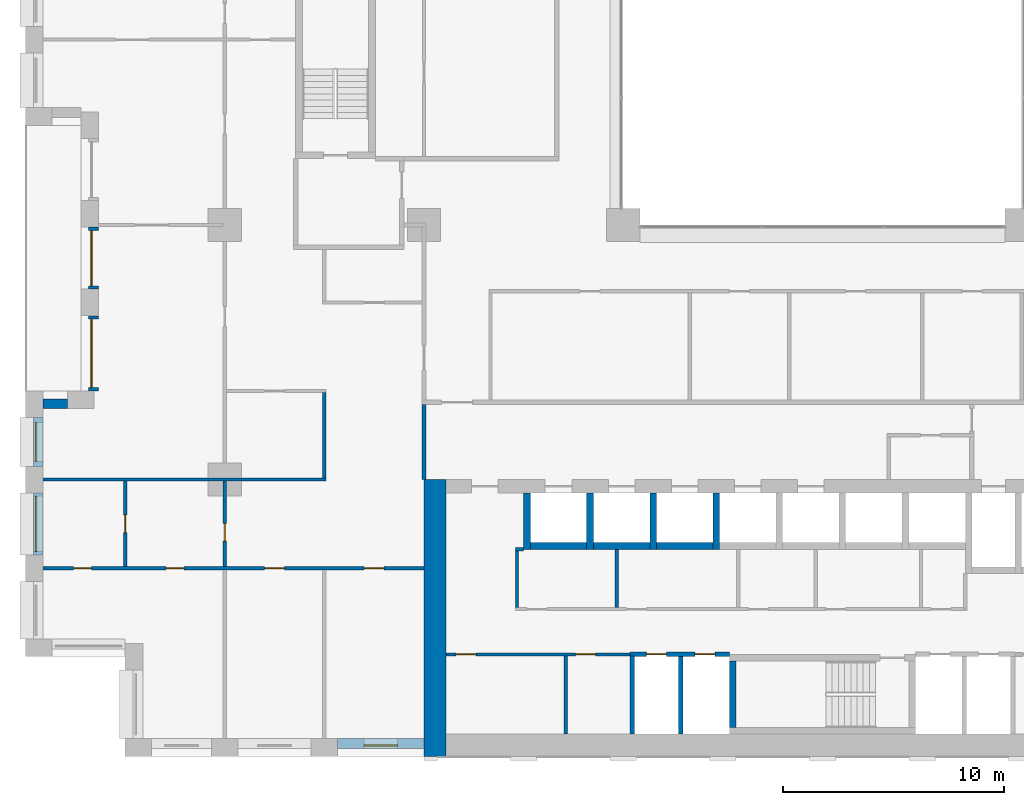
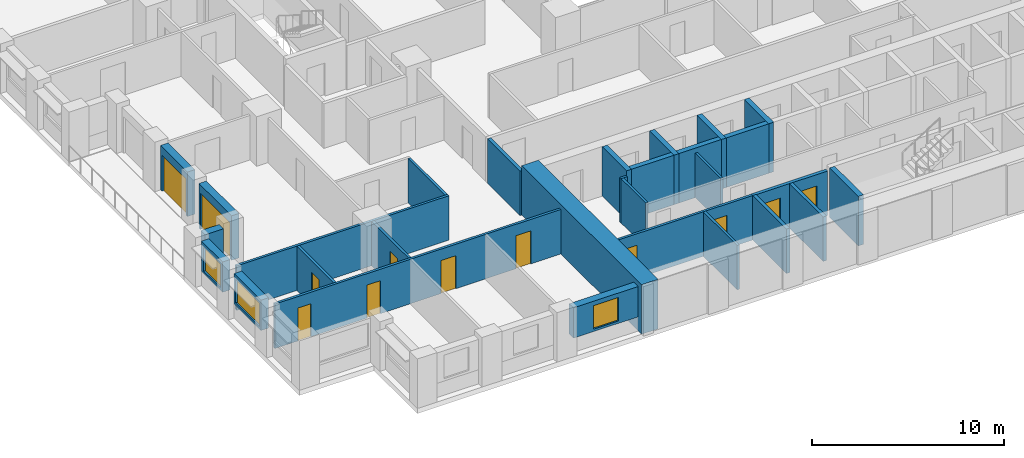
# One storey, part 9 of 21: 29 walls, 12 doors, 3 windows, 15 openings.
"""IFC4 building model written with IfcOpenShell, lengths in metres."""

from ifc_helpers import new_model, si_unit, direction, frame, frame_2d, origin, place, context, subcontext, project, spatial, rectangle, extrude, material, layer, layer_set, type_object, element, fill, save


model = new_model("IFC4")

# Units and contexts
model_context = context("Model", 3, precision=1e-05, world=origin(), true_north=direction((0.0, 1.0)))
body_context = subcontext(model_context, "Body", "Model", "MODEL_VIEW")
ifc_project = project(units=[si_unit("LENGTHUNIT", "METRE"), si_unit("AREAUNIT", "SQUARE_METRE"), si_unit("VOLUMEUNIT", "CUBIC_METRE"), si_unit("PLANEANGLEUNIT", "RADIAN"), si_unit("MASSUNIT", "GRAM", prefix="KILO")], contexts=[model_context])

# Site, building, storey
site_placement = place(None, origin())
site = spatial("IfcSite", under=ifc_project, at=site_placement, CompositionType="ELEMENT")
building_placement = place(site_placement, origin())
building = spatial("IfcBuilding", under=site, at=building_placement, Name="Brigalow Station Residences", CompositionType="ELEMENT")
storey_placement = place(building_placement, frame((0.0, 0.0, 51.0)))
storey = spatial("IfcBuildingStorey", under=building, at=storey_placement, Name="L14", CompositionType="ELEMENT", Elevation=51.0)

# Wall, opening, window
ifc_material_1 = material(Name="Clay brick masonry", Category="masonry")
ifc_layer_1 = layer(ifc_material_1, 0.449951171875)
ifc_layer_set_1 = layer_set([ifc_layer_1], Name="BRICK INFILL WALL 450")
wall_type_1 = type_object("IfcWallType", Name="BRICK INFILL WALL 450", PredefinedType="SOLIDWALL", material=ifc_layer_set_1)
wall_1_placement = place(storey_placement, frame((14.10009765625, 0.574951171875, 0.89990234375), z_axis=(0.0, 0.0, 1.0), x_axis=(1.0, 0.0, 0.0)))
wall_1 = element("IfcWall", 1, at=wall_1_placement, inside=storey, type_object=wall_type_1, Name="L14/ewall/W-L14-3", PredefinedType="SOLIDWALL", context=body_context, shape_type="SweptSolid", body=[
    extrude(rectangle(XDim=3.89990234375, YDim=0.449951171875, at=frame_2d((1.949951171875, 0.0))), origin(), (0.0, 0.0, 1.0), 1.93017578125),
])
opening_1_placement = place(wall_1_placement, frame((1.199951171875, 0.0, 0.14990234375)))
opening_1 = element("IfcOpeningElement", 2, at=opening_1_placement, cuts=wall_1, Name="Opening WT-1", PredefinedType="OPENING", context=body_context, shape_type="SweptSolid", body=[
    extrude(rectangle(XDim=1.5, YDim=1.5, at=frame_2d((0.75, 0.75))), frame((0.0, 0.23486328125, 0.0), z_axis=(0.0, -1.0, 0.0), x_axis=(1.0, 0.0, 0.0)), (0.0, 0.0, 1.0), 0.469970703125),
])
ifc_material_2 = material(Name="Anodised aluminium frame with double glazing", Category="aluminium")
window_type_1 = type_object("IfcWindowType", Name="WINDOW 1500x1500", PartitioningType="SINGLE_PANEL", PredefinedType="WINDOW", material=ifc_material_2)
window_1_placement = place(opening_1_placement, origin())
window_1 = element("IfcWindow", 3, at=window_1_placement, inside=storey, type_object=window_type_1, Name="L14/window/W-L14-3", OverallHeight=1.5, OverallWidth=1.5, PartitioningType="SINGLE_PANEL", PredefinedType="WINDOW", context=body_context, shape_type="SweptSolid", body=[
    extrude(rectangle(XDim=1.5, YDim=1.5, at=frame_2d((0.75, 0.75))), frame((0.0, -0.06494140625, 0.0), z_axis=(0.0, -1.0, 0.0), x_axis=(1.0, 0.0, 0.0)), (0.0, 0.0, 1.0), 0.06005859375),
])
fill(opening_1, window_1)

# Wall, opening, door
wall_2_placement = place(storey_placement, frame((3.074951171875, 23.89990234375, 0.0), z_axis=(0.0, 0.0, 1.0), x_axis=(0.0, -1.0, 0.0)))
wall_2 = element("IfcWall", 4, at=wall_2_placement, inside=storey, type_object=wall_type_1, Name="L14/ewall/W-L14-48", PredefinedType="SOLIDWALL", context=body_context, shape_type="SweptSolid", body=[
    extrude(rectangle(XDim=2.7998046875, YDim=0.449951171875, at=frame_2d((1.39990234375, 0.0))), origin(), (0.0, 0.0, 1.0), 2.830078125),
])
opening_2_placement = place(wall_2_placement, frame((0.14990234375, 0.0, 0.0)))
opening_2 = element("IfcOpeningElement", 5, at=opening_2_placement, cuts=wall_2, Name="Opening D-B2500", PredefinedType="OPENING", context=body_context, shape_type="SweptSolid", body=[
    extrude(rectangle(XDim=2.5, YDim=2.300048828125, at=frame_2d((1.25, 1.14990234375))), frame((0.0, 0.23486328125, 0.0), z_axis=(0.0, -1.0, 0.0), x_axis=(1.0, 0.0, 0.0)), (0.0, 0.0, 1.0), 0.469970703125),
])
ifc_material_3 = material(Name="Anodised aluminium frame with double glazing", Category="aluminium")
door_type_1 = type_object("IfcDoorType", Name="BALCONY SLIDING DOOR 2500x2300", OperationType="SLIDING_TO_LEFT", PredefinedType="DOOR", material=ifc_material_3)
door_1_placement = place(opening_2_placement, origin())
door_1 = element("IfcDoor", 6, at=door_1_placement, inside=storey, type_object=door_type_1, Name="L14/balcony-door/W-L14-48", OperationType="SLIDING_TO_LEFT", OverallHeight=2.300048828125, OverallWidth=2.5, PredefinedType="DOOR", context=body_context, shape_type="SweptSolid", body=[
    extrude(rectangle(XDim=2.5, YDim=2.300048828125, at=frame_2d((1.25, 1.14990234375))), frame((0.0, -0.06982421875, 0.0), z_axis=(0.0, -1.0, 0.0), x_axis=(1.0, 0.0, 0.0)), (0.0, 0.0, 1.0), 0.050048828125),
])
fill(opening_2, door_1)

wall_3_placement = place(storey_placement, frame((3.074951171875, 19.89990234375, 0.0), z_axis=(0.0, 0.0, 1.0), x_axis=(0.0, -1.0, 0.0)))
wall_3 = element("IfcWall", 7, at=wall_3_placement, inside=storey, type_object=wall_type_1, Name="L14/ewall/W-L14-49", PredefinedType="SOLIDWALL", context=body_context, shape_type="SweptSolid", body=[
    extrude(rectangle(XDim=3.39990234375, YDim=0.449951171875, at=frame_2d((1.699951171875, 0.0))), origin(), (0.0, 0.0, 1.0), 2.830078125),
])
opening_3_placement = place(wall_3_placement, frame((0.14990234375, 0.0, 0.0)))
opening_3 = element("IfcOpeningElement", 8, at=opening_3_placement, cuts=wall_3, Name="Opening D-B3100", PredefinedType="OPENING", context=body_context, shape_type="SweptSolid", body=[
    extrude(rectangle(XDim=3.10009765625, YDim=2.300048828125, at=frame_2d((1.550048828125, 1.14990234375))), frame((0.0, 0.23486328125, 0.0), z_axis=(0.0, -1.0, 0.0), x_axis=(1.0, 0.0, 0.0)), (0.0, 0.0, 1.0), 0.469970703125),
])
ifc_material_4 = material(Name="Anodised aluminium frame with double glazing", Category="aluminium")
door_type_2 = type_object("IfcDoorType", Name="BALCONY SLIDING DOOR 3100x2300", OperationType="SLIDING_TO_LEFT", PredefinedType="DOOR", material=ifc_material_4)
door_2_placement = place(opening_3_placement, origin())
door_2 = element("IfcDoor", 9, at=door_2_placement, inside=storey, type_object=door_type_2, Name="L14/balcony-door/W-L14-49", OperationType="SLIDING_TO_LEFT", OverallHeight=2.300048828125, OverallWidth=3.10009765625, PredefinedType="DOOR", context=body_context, shape_type="SweptSolid", body=[
    extrude(rectangle(XDim=3.10009765625, YDim=2.300048828125, at=frame_2d((1.550048828125, 1.14990234375))), frame((0.0, -0.06982421875, 0.0), z_axis=(0.0, -1.0, 0.0), x_axis=(1.0, 0.0, 0.0)), (0.0, 0.0, 1.0), 0.050048828125),
])
fill(opening_3, door_2)

# Wall
wall_4_placement = place(storey_placement, frame((1.89990234375, 15.925048828125, 0.89990234375), z_axis=(0.0, 0.0, 1.0), x_axis=(-1.0, 0.0, 0.0)))
element("IfcWall", 10, at=wall_4_placement, inside=storey, type_object=wall_type_1, Name="L14/ewall/W-L14-50", PredefinedType="SOLIDWALL", context=body_context, shape_type="SweptSolid", body=[
    extrude(rectangle(XDim=1.099853515625, YDim=0.449951171875, at=frame_2d((0.5498046875, 0.0))), origin(), (0.0, 0.0, 1.0), 1.93017578125),
])

# Wall, opening, window
wall_5_placement = place(storey_placement, frame((0.574951171875, 15.300048828125, 0.89990234375), z_axis=(0.0, 0.0, 1.0), x_axis=(0.0, -1.0, 0.0)))
wall_5 = element("IfcWall", 11, at=wall_5_placement, inside=storey, type_object=wall_type_1, Name="L14/ewall/W-L14-51", PredefinedType="SOLIDWALL", context=body_context, shape_type="SweptSolid", body=[
    extrude(rectangle(XDim=2.199951171875, YDim=0.449951171875, at=frame_2d((1.10009765625, 0.0))), origin(), (0.0, 0.0, 1.0), 1.93017578125),
])
opening_4_placement = place(wall_5_placement, frame((0.22509765625, 0.0, 0.14990234375)))
opening_4 = element("IfcOpeningElement", 12, at=opening_4_placement, cuts=wall_5, Name="Opening WT-4", PredefinedType="OPENING", context=body_context, shape_type="SweptSolid", body=[
    extrude(rectangle(XDim=1.75, YDim=1.5, at=frame_2d((0.875, 0.75))), frame((0.0, 0.23486328125, 0.0), z_axis=(0.0, -1.0, 0.0), x_axis=(1.0, 0.0, 0.0)), (0.0, 0.0, 1.0), 0.469970703125),
])
ifc_material_5 = material(Name="Anodised aluminium frame with double glazing", Category="aluminium")
window_type_2 = type_object("IfcWindowType", Name="WINDOW 1750x1500", PartitioningType="SINGLE_PANEL", PredefinedType="WINDOW", material=ifc_material_5)
window_2_placement = place(opening_4_placement, origin())
window_2 = element("IfcWindow", 13, at=window_2_placement, inside=storey, type_object=window_type_2, Name="L14/window/W-L14-51", OverallHeight=1.5, OverallWidth=1.75, PartitioningType="SINGLE_PANEL", PredefinedType="WINDOW", context=body_context, shape_type="SweptSolid", body=[
    extrude(rectangle(XDim=1.75, YDim=1.5, at=frame_2d((0.875, 0.75))), frame((0.0, -0.06494140625, 0.0), z_axis=(0.0, -1.0, 0.0), x_axis=(1.0, 0.0, 0.0)), (0.0, 0.0, 1.0), 0.06005859375),
])
fill(opening_4, window_2)

wall_6_placement = place(storey_placement, frame((0.574951171875, 11.89990234375, 0.89990234375), z_axis=(0.0, 0.0, 1.0), x_axis=(0.0, -1.0, 0.0)))
wall_6 = element("IfcWall", 14, at=wall_6_placement, inside=storey, type_object=wall_type_1, Name="L14/ewall/W-L14-52", PredefinedType="SOLIDWALL", context=body_context, shape_type="SweptSolid", body=[
    extrude(rectangle(XDim=2.7998046875, YDim=0.449951171875, at=frame_2d((1.39990234375, 0.0))), origin(), (0.0, 0.0, 1.0), 1.93017578125),
])
opening_5_placement = place(wall_6_placement, frame((0.14990234375, 0.0, 0.14990234375)))
opening_5 = element("IfcOpeningElement", 15, at=opening_5_placement, cuts=wall_6, Name="Opening WT-5", PredefinedType="OPENING", context=body_context, shape_type="SweptSolid", body=[
    extrude(rectangle(XDim=2.5, YDim=1.5, at=frame_2d((1.25, 0.75))), frame((0.0, 0.23486328125, 0.0), z_axis=(0.0, -1.0, 0.0), x_axis=(1.0, 0.0, 0.0)), (0.0, 0.0, 1.0), 0.469970703125),
])
ifc_material_6 = material(Name="Anodised aluminium frame with double glazing", Category="aluminium")
window_type_3 = type_object("IfcWindowType", Name="WINDOW 2500x1500", PartitioningType="SINGLE_PANEL", PredefinedType="WINDOW", material=ifc_material_6)
window_3_placement = place(opening_5_placement, origin())
window_3 = element("IfcWindow", 16, at=window_3_placement, inside=storey, type_object=window_type_3, Name="L14/window/W-L14-52", OverallHeight=1.5, OverallWidth=2.5, PartitioningType="SINGLE_PANEL", PredefinedType="WINDOW", context=body_context, shape_type="SweptSolid", body=[
    extrude(rectangle(XDim=2.5, YDim=1.5, at=frame_2d((1.25, 0.75))), frame((0.0, -0.06494140625, 0.0), z_axis=(0.0, -1.0, 0.0), x_axis=(1.0, 0.0, 0.0)), (0.0, 0.0, 1.0), 0.06005859375),
])
fill(opening_5, window_3)

# Walls
ifc_material_7 = material(Name="Concrete C80", Category="concrete")
ifc_layer_2 = layer(ifc_material_7, 1.0)
ifc_layer_set_2 = layer_set([ifc_layer_2], Name="CORE SHEAR WALL 1000 C80")
wall_type_2 = type_object("IfcWallType", Name="CORE SHEAR WALL 1000 C80", PredefinedType="SHEAR", material=ifc_layer_set_2)
wall_7_placement = place(storey_placement, frame((18.5, 0.0, 0.0), z_axis=(0.0, 0.0, 1.0), x_axis=(0.0, 1.0, 0.0)))
element("IfcWall", 17, at=wall_7_placement, inside=storey, type_object=wall_type_2, Name="CORE WALL OUT-W L14", PredefinedType="SHEAR", context=body_context, shape_type="SweptSolid", body=[
    extrude(rectangle(XDim=12.5, YDim=1.0, at=frame_2d((6.25, 0.0))), origin(), (0.0, 0.0, 1.0), 3.14990234375),
])
ifc_material_8 = material(Name="Concrete C80", Category="concrete")
ifc_layer_3 = layer(ifc_material_8, 0.300048828125)
ifc_layer_set_3 = layer_set([ifc_layer_3], Name="CORE SHEAR WALL 300 C80")
wall_type_3 = type_object("IfcWallType", Name="CORE SHEAR WALL 300 C80", PredefinedType="SHEAR", material=ifc_layer_set_3)
wall_8_placement = place(storey_placement, frame((22.800048828125, 9.5, 0.0), z_axis=(0.0, 0.0, 1.0), x_axis=(1.0, 0.0, 0.0)))
element("IfcWall", 18, at=wall_8_placement, inside=storey, type_object=wall_type_3, Name="CORE WALL SH-P1-S L14", PredefinedType="SHEAR", context=body_context, shape_type="SweptSolid", body=[
    extrude(rectangle(XDim=2.550048828125, YDim=0.300048828125, at=frame_2d((1.27490234375, 0.0))), origin(), (0.0, 0.0, 1.0), 3.14990234375),
])
wall_9_placement = place(storey_placement, frame((22.64990234375, 9.35009765625, 0.0), z_axis=(0.0, 0.0, 1.0), x_axis=(0.0, 1.0, 0.0)))
element("IfcWall", 19, at=wall_9_placement, inside=storey, type_object=wall_type_3, Name="CORE WALL SH-P1-W L14", PredefinedType="SHEAR", context=body_context, shape_type="SweptSolid", body=[
    extrude(rectangle(XDim=2.5498046875, YDim=0.300048828125, at=frame_2d((1.27490234375, 0.0))), origin(), (0.0, 0.0, 1.0), 3.14990234375),
])
wall_10_placement = place(storey_placement, frame((25.64990234375, 9.5, 0.0), z_axis=(0.0, 0.0, 1.0), x_axis=(1.0, 0.0, 0.0)))
element("IfcWall", 20, at=wall_10_placement, inside=storey, type_object=wall_type_3, Name="CORE WALL SH-P2-S L14", PredefinedType="SHEAR", context=body_context, shape_type="SweptSolid", body=[
    extrude(rectangle(XDim=2.550048828125, YDim=0.300048828125, at=frame_2d((1.27490234375, 0.0))), origin(), (0.0, 0.0, 1.0), 3.14990234375),
])
wall_11_placement = place(storey_placement, frame((25.5, 9.35009765625, 0.0), z_axis=(0.0, 0.0, 1.0), x_axis=(0.0, 1.0, 0.0)))
element("IfcWall", 21, at=wall_11_placement, inside=storey, type_object=wall_type_3, Name="CORE WALL SH-P2-W L14", PredefinedType="SHEAR", context=body_context, shape_type="SweptSolid", body=[
    extrude(rectangle(XDim=2.5498046875, YDim=0.300048828125, at=frame_2d((1.27490234375, 0.0))), origin(), (0.0, 0.0, 1.0), 3.14990234375),
])
wall_12_placement = place(storey_placement, frame((28.5, 9.5, 0.0), z_axis=(0.0, 0.0, 1.0), x_axis=(1.0, 0.0, 0.0)))
element("IfcWall", 22, at=wall_12_placement, inside=storey, type_object=wall_type_3, Name="CORE WALL SH-P3-S L14", PredefinedType="SHEAR", context=body_context, shape_type="SweptSolid", body=[
    extrude(rectangle(XDim=2.550048828125, YDim=0.300048828125, at=frame_2d((1.27490234375, 0.0))), origin(), (0.0, 0.0, 1.0), 3.14990234375),
])
for number, where, z_axis, x_axis, name in (
    (23, (28.35009765625, 9.35009765625, 0.0), (0.0, 0.0, 1.0), (0.0, 1.0, 0.0), "CORE WALL SH-P3-W L14"),
    (24, (31.199951171875, 9.35009765625, 0.0), (0.0, 0.0, 1.0), (0.0, 1.0, 0.0), "CORE WALL SH-P4-W L14"),
):
    element("IfcWall", number, at=place(storey_placement, frame(where, z_axis=z_axis, x_axis=x_axis)), inside=storey, type_object=wall_type_3, Name=name, PredefinedType="SHEAR", context=body_context, shape_type="SweptSolid", body=[
        extrude(rectangle(XDim=2.5498046875, YDim=0.300048828125, at=frame_2d((1.27490234375, 0.0))), origin(), (0.0, 0.0, 1.0), 3.14990234375),
    ])
wall_13_placement = place(storey_placement, frame((31.949951171875, 1.300048828125, 0.0), z_axis=(0.0, 0.0, 1.0), x_axis=(0.0, 1.0, 0.0)))
element("IfcWall", 25, at=wall_13_placement, inside=storey, type_object=wall_type_3, Name="CORE WALL ST-S2-W L14", PredefinedType="SHEAR", context=body_context, shape_type="SweptSolid", body=[
    extrude(rectangle(XDim=3.0, YDim=0.300048828125, at=frame_2d((1.5, 0.0))), origin(), (0.0, 0.0, 1.0), 3.14990234375),
])

# Wall, openings, doors
ifc_material_9 = material(Name="Concrete blockwork", Category="masonry")
ifc_layer_4 = layer(ifc_material_9, 0.199951171875)
ifc_layer_set_4 = layer_set([ifc_layer_4], Name="FIRE RATED CORE PARTITION 200")
wall_type_4 = type_object("IfcWallType", Name="FIRE RATED CORE PARTITION 200", PredefinedType="PARTITIONING", material=ifc_layer_set_4)
wall_14_placement = place(storey_placement, frame((27.300048828125, 4.60009765625, 0.0), z_axis=(0.0, 0.0, 1.0), x_axis=(1.0, 0.0, 0.0)))
wall_14 = element("IfcWall", 26, at=wall_14_placement, inside=storey, type_object=wall_type_4, Name="PW-5017", PredefinedType="PARTITIONING", context=body_context, shape_type="SweptSolid", body=[
    extrude(rectangle(XDim=4.5, YDim=0.199951171875, at=frame_2d((2.25, 0.0))), origin(), (0.0, 0.0, 1.0), 2.830078125),
])
opening_6_placement = place(wall_14_placement, frame((0.75, 0.0, 0.0)))
opening_6 = element("IfcOpeningElement", 27, at=opening_6_placement, cuts=wall_14, Name="Opening D-5007", PredefinedType="OPENING", context=body_context, shape_type="SweptSolid", body=[
    extrude(rectangle(XDim=0.89990234375, YDim=2.10009765625, at=frame_2d((0.449951171875, 1.050048828125))), frame((0.0, 0.10986328125, 0.0), z_axis=(0.0, -1.0, 0.0), x_axis=(1.0, 0.0, 0.0)), (0.0, 0.0, 1.0), 0.219970703125),
])
opening_7_placement = place(wall_14_placement, frame((2.949951171875, 0.0, 0.0)))
opening_7 = element("IfcOpeningElement", 28, at=opening_7_placement, cuts=wall_14, Name="Opening D-5008", PredefinedType="OPENING", context=body_context, shape_type="SweptSolid", body=[
    extrude(rectangle(XDim=0.89990234375, YDim=2.10009765625, at=frame_2d((0.449951171875, 1.050048828125))), frame((0.0, 0.10986328125, 0.0), z_axis=(0.0, -1.0, 0.0), x_axis=(1.0, 0.0, 0.0)), (0.0, 0.0, 1.0), 0.219970703125),
])
ifc_material_10 = material(Name="Steel fire door leaf in steel frame", Category="steel")
door_type_3 = type_object("IfcDoorType", Name="RISER ACCESS DOOR 900 x 2100 FD120", OperationType="SINGLE_SWING_LEFT", PredefinedType="DOOR", material=ifc_material_10)
door_3_placement = place(opening_6_placement, frame((0.89990234375, 0.0, 0.0), z_axis=(0.0, 0.0, 1.0), x_axis=(-1.0, 0.0, 0.0)))
door_3 = element("IfcDoor", 29, at=door_3_placement, inside=storey, type_object=door_type_3, Name="D-5007", OperationType="SINGLE_SWING_RIGHT", OverallHeight=2.10009765625, OverallWidth=0.89990234375, PredefinedType="DOOR", context=body_context, shape_type="SweptSolid", body=[
    extrude(rectangle(XDim=0.89990234375, YDim=2.10009765625, at=frame_2d((0.449951171875, 1.050048828125))), frame((0.0, 0.02490234375, 0.0), z_axis=(0.0, -1.0, 0.0), x_axis=(1.0, 0.0, 0.0)), (0.0, 0.0, 1.0), 0.050048828125),
])
fill(opening_6, door_3)
door_4_placement = place(opening_7_placement, frame((0.89990234375, 0.0, 0.0), z_axis=(0.0, 0.0, 1.0), x_axis=(-1.0, 0.0, 0.0)))
door_4 = element("IfcDoor", 30, at=door_4_placement, inside=storey, type_object=door_type_3, Name="D-5008", OperationType="SINGLE_SWING_RIGHT", OverallHeight=2.10009765625, OverallWidth=0.89990234375, PredefinedType="DOOR", context=body_context, shape_type="SweptSolid", body=[
    extrude(rectangle(XDim=0.89990234375, YDim=2.10009765625, at=frame_2d((0.449951171875, 1.050048828125))), frame((0.0, 0.02490234375, 0.0), z_axis=(0.0, -1.0, 0.0), x_axis=(1.0, 0.0, 0.0)), (0.0, 0.0, 1.0), 0.050048828125),
])
fill(opening_7, door_4)

# Walls
wall_15_placement = place(storey_placement, frame((27.39990234375, 1.0, 0.0), z_axis=(0.0, 0.0, 1.0), x_axis=(0.0, 1.0, 0.0)))
element("IfcWall", 31, at=wall_15_placement, inside=storey, type_object=wall_type_4, Name="PW-5027", PredefinedType="PARTITIONING", context=body_context, shape_type="SweptSolid", body=[
    extrude(rectangle(XDim=3.52490234375, YDim=0.199951171875, at=frame_2d((1.762451171875, 0.0))), origin(), (0.0, 0.0, 1.0), 2.830078125),
])
wall_16_placement = place(storey_placement, frame((29.60009765625, 1.0, 0.0), z_axis=(0.0, 0.0, 1.0), x_axis=(0.0, 1.0, 0.0)))
element("IfcWall", 32, at=wall_16_placement, inside=storey, type_object=wall_type_4, Name="PW-5006", PredefinedType="PARTITIONING", context=body_context, shape_type="SweptSolid", body=[
    extrude(rectangle(XDim=3.5, YDim=0.199951171875, at=frame_2d((1.75, 0.0))), origin(), (0.0, 0.0, 1.0), 2.830078125),
])
wall_17_placement = place(storey_placement, frame((18.0, 12.5, 0.0), z_axis=(0.0, 0.0, 1.0), x_axis=(0.0, 1.0, 0.0)))
element("IfcWall", 33, at=wall_17_placement, inside=storey, type_object=wall_type_4, Name="PW-5013", PredefinedType="PARTITIONING", context=body_context, shape_type="SweptSolid", body=[
    extrude(rectangle(XDim=3.39990234375, YDim=0.199951171875, at=frame_2d((1.699951171875, 0.0))), origin(), (0.0, 0.0, 1.0), 2.830078125),
])

# Wall, openings, doors
ifc_material_11 = material(Name="Plasterboard on steel stud partition", Category="steel")
ifc_layer_5 = layer(ifc_material_11, 0.14990234375)
ifc_layer_set_5 = layer_set([ifc_layer_5], Name="FLAT PARTITION 150")
wall_type_5 = type_object("IfcWallType", Name="FLAT PARTITION 150", PredefinedType="PARTITIONING", material=ifc_layer_set_5)
wall_18_placement = place(storey_placement, frame((0.800048828125, 8.5, 0.0), z_axis=(0.0, 0.0, 1.0), x_axis=(1.0, 0.0, 0.0)))
wall_18 = element("IfcWall", 34, at=wall_18_placement, inside=storey, type_object=wall_type_5, Name="PW-1D11", PredefinedType="PARTITIONING", context=body_context, shape_type="SweptSolid", body=[
    extrude(rectangle(XDim=17.199951171875, YDim=0.14990234375, at=frame_2d((8.60009765625, 0.0))), origin(), (0.0, 0.0, 1.0), 2.830078125),
])
opening_8_placement = place(wall_18_placement, frame((10.0, 0.0, 0.0)))
opening_8 = element("IfcOpeningElement", 35, at=opening_8_placement, cuts=wall_18, Name="Opening D-1D04", PredefinedType="OPENING", context=body_context, shape_type="SweptSolid", body=[
    extrude(rectangle(XDim=0.89990234375, YDim=2.10009765625, at=frame_2d((0.449951171875, 1.050048828125))), frame((0.0, 0.0849609375, 0.0), z_axis=(0.0, -1.0, 0.0), x_axis=(1.0, 0.0, 0.0)), (0.0, 0.0, 1.0), 0.169921875),
])
opening_9_placement = place(wall_18_placement, frame((14.5, 0.0, 0.0)))
opening_9 = element("IfcOpeningElement", 36, at=opening_9_placement, cuts=wall_18, Name="Opening D-1D05", PredefinedType="OPENING", context=body_context, shape_type="SweptSolid", body=[
    extrude(rectangle(XDim=0.89990234375, YDim=2.10009765625, at=frame_2d((0.449951171875, 1.050048828125))), frame((0.0, 0.0849609375, 0.0), z_axis=(0.0, -1.0, 0.0), x_axis=(1.0, 0.0, 0.0)), (0.0, 0.0, 1.0), 0.169921875),
])
opening_10_placement = place(wall_18_placement, frame((1.375, 0.0, 0.0)))
opening_10 = element("IfcOpeningElement", 37, at=opening_10_placement, cuts=wall_18, Name="Opening D-1D09", PredefinedType="OPENING", context=body_context, shape_type="SweptSolid", body=[
    extrude(rectangle(XDim=0.800048828125, YDim=2.10009765625, at=frame_2d((0.39990234375, 1.050048828125))), frame((0.0, 0.0849609375, 0.0), z_axis=(0.0, -1.0, 0.0), x_axis=(1.0, 0.0, 0.0)), (0.0, 0.0, 1.0), 0.169921875),
])
opening_11_placement = place(wall_18_placement, frame((5.550048828125, 0.0, 0.0)))
opening_11 = element("IfcOpeningElement", 38, at=opening_11_placement, cuts=wall_18, Name="Opening D-1D16", PredefinedType="OPENING", context=body_context, shape_type="SweptSolid", body=[
    extrude(rectangle(XDim=0.800048828125, YDim=2.10009765625, at=frame_2d((0.39990234375, 1.050048828125))), frame((0.0, 0.0849609375, 0.0), z_axis=(0.0, -1.0, 0.0), x_axis=(1.0, 0.0, 0.0)), (0.0, 0.0, 1.0), 0.169921875),
])
ifc_material_12 = material(Name="Solid-core timber door leaf", Category="wood")
door_type_4 = type_object("IfcDoorType", Name="INTERNAL DOOR 800 x 2100", OperationType="SINGLE_SWING_LEFT", PredefinedType="DOOR", material=ifc_material_12)
door_5_placement = place(opening_10_placement, origin())
door_5 = element("IfcDoor", 39, at=door_5_placement, inside=storey, type_object=door_type_4, Name="D-1D09", OperationType="SINGLE_SWING_LEFT", OverallHeight=2.10009765625, OverallWidth=0.800048828125, PredefinedType="DOOR", context=body_context, shape_type="SweptSolid", body=[
    extrude(rectangle(XDim=0.800048828125, YDim=2.10009765625, at=frame_2d((0.39990234375, 1.050048828125))), frame((0.0, 0.02490234375, 0.0), z_axis=(0.0, -1.0, 0.0), x_axis=(1.0, 0.0, 0.0)), (0.0, 0.0, 1.0), 0.050048828125),
])
fill(opening_10, door_5)
door_6_placement = place(opening_11_placement, origin())
door_6 = element("IfcDoor", 40, at=door_6_placement, inside=storey, type_object=door_type_4, Name="D-1D16", OperationType="SINGLE_SWING_LEFT", OverallHeight=2.10009765625, OverallWidth=0.800048828125, PredefinedType="DOOR", context=body_context, shape_type="SweptSolid", body=[
    extrude(rectangle(XDim=0.800048828125, YDim=2.10009765625, at=frame_2d((0.39990234375, 1.050048828125))), frame((0.0, 0.02490234375, 0.0), z_axis=(0.0, -1.0, 0.0), x_axis=(1.0, 0.0, 0.0)), (0.0, 0.0, 1.0), 0.050048828125),
])
fill(opening_11, door_6)
ifc_material_13 = material(Name="Solid-core timber door leaf", Category="wood")
door_type_5 = type_object("IfcDoorType", Name="INTERNAL DOOR 900 x 2100", OperationType="SINGLE_SWING_LEFT", PredefinedType="DOOR", material=ifc_material_13)
door_7_placement = place(opening_8_placement, frame((0.89990234375, 0.0, 0.0), z_axis=(0.0, 0.0, 1.0), x_axis=(-1.0, 0.0, 0.0)))
door_7 = element("IfcDoor", 41, at=door_7_placement, inside=storey, type_object=door_type_5, Name="D-1D04", OperationType="SINGLE_SWING_RIGHT", OverallHeight=2.10009765625, OverallWidth=0.89990234375, PredefinedType="DOOR", context=body_context, shape_type="SweptSolid", body=[
    extrude(rectangle(XDim=0.89990234375, YDim=2.10009765625, at=frame_2d((0.449951171875, 1.050048828125))), frame((0.0, 0.02490234375, 0.0), z_axis=(0.0, -1.0, 0.0), x_axis=(1.0, 0.0, 0.0)), (0.0, 0.0, 1.0), 0.050048828125),
])
fill(opening_8, door_7)
door_8_placement = place(opening_9_placement, frame((0.89990234375, 0.0, 0.0), z_axis=(0.0, 0.0, 1.0), x_axis=(-1.0, 0.0, 0.0)))
door_8 = element("IfcDoor", 42, at=door_8_placement, inside=storey, type_object=door_type_5, Name="D-1D05", OperationType="SINGLE_SWING_RIGHT", OverallHeight=2.10009765625, OverallWidth=0.89990234375, PredefinedType="DOOR", context=body_context, shape_type="SweptSolid", body=[
    extrude(rectangle(XDim=0.89990234375, YDim=2.10009765625, at=frame_2d((0.449951171875, 1.050048828125))), frame((0.0, 0.02490234375, 0.0), z_axis=(0.0, -1.0, 0.0), x_axis=(1.0, 0.0, 0.0)), (0.0, 0.0, 1.0), 0.050048828125),
])
fill(opening_9, door_8)

# Wall
wall_19_placement = place(storey_placement, frame((0.800048828125, 12.5, 0.0), z_axis=(0.0, 0.0, 1.0), x_axis=(1.0, 0.0, 0.0)))
element("IfcWall", 43, at=wall_19_placement, inside=storey, type_object=wall_type_5, Name="PW-1D13", PredefinedType="PARTITIONING", context=body_context, shape_type="SweptSolid", body=[
    extrude(rectangle(XDim=12.77490234375, YDim=0.14990234375, at=frame_2d((6.387451171875, 0.0))), origin(), (0.0, 0.0, 1.0), 2.830078125),
])

# Wall, opening, door
wall_20_placement = place(storey_placement, frame((9.0, 8.574951171875, 0.0), z_axis=(0.0, 0.0, 1.0), x_axis=(0.0, 1.0, 0.0)))
wall_20 = element("IfcWall", 44, at=wall_20_placement, inside=storey, type_object=wall_type_5, Name="PW-1D47", PredefinedType="PARTITIONING", context=body_context, shape_type="SweptSolid", body=[
    extrude(rectangle(XDim=3.85009765625, YDim=0.14990234375, at=frame_2d((1.925048828125, 0.0))), origin(), (0.0, 0.0, 1.0), 2.830078125),
])
opening_12_placement = place(wall_20_placement, frame((1.14990234375, 0.0, 0.0)))
opening_12 = element("IfcOpeningElement", 45, at=opening_12_placement, cuts=wall_20, Name="Opening D-1D15", PredefinedType="OPENING", context=body_context, shape_type="SweptSolid", body=[
    extrude(rectangle(XDim=0.800048828125, YDim=2.10009765625, at=frame_2d((0.39990234375, 1.050048828125))), frame((0.0, 0.0849609375, 0.0), z_axis=(0.0, -1.0, 0.0), x_axis=(1.0, 0.0, 0.0)), (0.0, 0.0, 1.0), 0.169921875),
])
door_9_placement = place(opening_12_placement, origin())
door_9 = element("IfcDoor", 46, at=door_9_placement, inside=storey, type_object=door_type_4, Name="D-1D15", OperationType="SINGLE_SWING_LEFT", OverallHeight=2.10009765625, OverallWidth=0.800048828125, PredefinedType="DOOR", context=body_context, shape_type="SweptSolid", body=[
    extrude(rectangle(XDim=0.800048828125, YDim=2.10009765625, at=frame_2d((0.39990234375, 1.050048828125))), frame((0.0, 0.02490234375, 0.0), z_axis=(0.0, -1.0, 0.0), x_axis=(1.0, 0.0, 0.0)), (0.0, 0.0, 1.0), 0.050048828125),
])
fill(opening_12, door_9)

# Wall
wall_21_placement = place(storey_placement, frame((13.5, 12.574951171875, 0.0), z_axis=(0.0, 0.0, 1.0), x_axis=(0.0, 1.0, 0.0)))
element("IfcWall", 47, at=wall_21_placement, inside=storey, type_object=wall_type_5, Name="PW-1D53", PredefinedType="PARTITIONING", context=body_context, shape_type="SweptSolid", body=[
    extrude(rectangle(XDim=3.85009765625, YDim=0.14990234375, at=frame_2d((1.925048828125, 0.0))), origin(), (0.0, 0.0, 1.0), 2.830078125),
])

# Wall, opening, door
wall_22_placement = place(storey_placement, frame((4.5, 8.574951171875, 0.0), z_axis=(0.0, 0.0, 1.0), x_axis=(0.0, 1.0, 0.0)))
wall_22 = element("IfcWall", 48, at=wall_22_placement, inside=storey, type_object=wall_type_5, Name="PW-1D55", PredefinedType="PARTITIONING", context=body_context, shape_type="SweptSolid", body=[
    extrude(rectangle(XDim=3.85009765625, YDim=0.14990234375, at=frame_2d((1.925048828125, 0.0))), origin(), (0.0, 0.0, 1.0), 2.830078125),
])
opening_13_placement = place(wall_22_placement, frame((1.52490234375, 0.0, 0.0)))
opening_13 = element("IfcOpeningElement", 49, at=opening_13_placement, cuts=wall_22, Name="Opening D-1D10", PredefinedType="OPENING", context=body_context, shape_type="SweptSolid", body=[
    extrude(rectangle(XDim=0.800048828125, YDim=2.10009765625, at=frame_2d((0.39990234375, 1.050048828125))), frame((0.0, 0.0849609375, 0.0), z_axis=(0.0, -1.0, 0.0), x_axis=(1.0, 0.0, 0.0)), (0.0, 0.0, 1.0), 0.169921875),
])
door_10_placement = place(opening_13_placement, origin())
door_10 = element("IfcDoor", 50, at=door_10_placement, inside=storey, type_object=door_type_4, Name="D-1D10", OperationType="SINGLE_SWING_LEFT", OverallHeight=2.10009765625, OverallWidth=0.800048828125, PredefinedType="DOOR", context=body_context, shape_type="SweptSolid", body=[
    extrude(rectangle(XDim=0.800048828125, YDim=2.10009765625, at=frame_2d((0.39990234375, 1.050048828125))), frame((0.0, 0.02490234375, 0.0), z_axis=(0.0, -1.0, 0.0), x_axis=(1.0, 0.0, 0.0)), (0.0, 0.0, 1.0), 0.050048828125),
])
fill(opening_13, door_10)

# Wall, openings, doors
ifc_material_14 = material(Name="Plasterboard on steel studs", Category="steel")
ifc_layer_6 = layer(ifc_material_14, 0.14990234375)
ifc_layer_set_6 = layer_set([ifc_layer_6], Name="SERVICE ROOM PARTITION 150")
wall_type_6 = type_object("IfcWallType", Name="SERVICE ROOM PARTITION 150", PredefinedType="PARTITIONING", material=ifc_layer_set_6)
wall_23_placement = place(storey_placement, frame((19.0, 4.60009765625, 0.0), z_axis=(0.0, 0.0, 1.0), x_axis=(1.0, 0.0, 0.0)))
wall_23 = element("IfcWall", 51, at=wall_23_placement, inside=storey, type_object=wall_type_6, Name="PW-5019", PredefinedType="PARTITIONING", context=body_context, shape_type="SweptSolid", body=[
    extrude(rectangle(XDim=8.300048828125, YDim=0.14990234375, at=frame_2d((4.14990234375, 0.0))), origin(), (0.0, 0.0, 1.0), 2.830078125),
])
opening_14_placement = place(wall_23_placement, frame((0.449951171875, 0.0, 0.0)))
opening_14 = element("IfcOpeningElement", 52, at=opening_14_placement, cuts=wall_23, Name="Opening D-5025", PredefinedType="OPENING", context=body_context, shape_type="SweptSolid", body=[
    extrude(rectangle(XDim=0.89990234375, YDim=2.10009765625, at=frame_2d((0.449951171875, 1.050048828125))), frame((0.0, 0.0849609375, 0.0), z_axis=(0.0, -1.0, 0.0), x_axis=(1.0, 0.0, 0.0)), (0.0, 0.0, 1.0), 0.169921875),
])
opening_15_placement = place(wall_23_placement, frame((5.85009765625, 0.0, 0.0)))
opening_15 = element("IfcOpeningElement", 53, at=opening_15_placement, cuts=wall_23, Name="Opening D-5035", PredefinedType="OPENING", context=body_context, shape_type="SweptSolid", body=[
    extrude(rectangle(XDim=0.89990234375, YDim=2.10009765625, at=frame_2d((0.449951171875, 1.050048828125))), frame((0.0, 0.0849609375, 0.0), z_axis=(0.0, -1.0, 0.0), x_axis=(1.0, 0.0, 0.0)), (0.0, 0.0, 1.0), 0.169921875),
])
ifc_material_15 = material(Name="Steel door leaf in steel frame", Category="steel")
door_type_6 = type_object("IfcDoorType", Name="SERVICE ROOM DOOR 900 x 2100 FD60", OperationType="SINGLE_SWING_LEFT", PredefinedType="DOOR", material=ifc_material_15)
door_11_placement = place(opening_14_placement, frame((0.89990234375, 0.0, 0.0), z_axis=(0.0, 0.0, 1.0), x_axis=(-1.0, 0.0, 0.0)))
door_11 = element("IfcDoor", 54, at=door_11_placement, inside=storey, type_object=door_type_6, Name="D-5025", OperationType="SINGLE_SWING_RIGHT", OverallHeight=2.10009765625, OverallWidth=0.89990234375, PredefinedType="DOOR", context=body_context, shape_type="SweptSolid", body=[
    extrude(rectangle(XDim=0.89990234375, YDim=2.10009765625, at=frame_2d((0.449951171875, 1.050048828125))), frame((0.0, 0.02490234375, 0.0), z_axis=(0.0, -1.0, 0.0), x_axis=(1.0, 0.0, 0.0)), (0.0, 0.0, 1.0), 0.050048828125),
])
fill(opening_14, door_11)
door_12_placement = place(opening_15_placement, frame((0.89990234375, 0.0, 0.0), z_axis=(0.0, 0.0, 1.0), x_axis=(-1.0, 0.0, 0.0)))
door_12 = element("IfcDoor", 55, at=door_12_placement, inside=storey, type_object=door_type_6, Name="D-5035", OperationType="SINGLE_SWING_RIGHT", OverallHeight=2.10009765625, OverallWidth=0.89990234375, PredefinedType="DOOR", context=body_context, shape_type="SweptSolid", body=[
    extrude(rectangle(XDim=0.89990234375, YDim=2.10009765625, at=frame_2d((0.449951171875, 1.050048828125))), frame((0.0, 0.02490234375, 0.0), z_axis=(0.0, -1.0, 0.0), x_axis=(1.0, 0.0, 0.0)), (0.0, 0.0, 1.0), 0.050048828125),
])
fill(opening_15, door_12)

# Walls
wall_24_placement = place(storey_placement, frame((22.125, 9.35009765625, 0.0), z_axis=(0.0, 0.0, 1.0), x_axis=(1.0, 0.0, 0.0)))
element("IfcWall", 56, at=wall_24_placement, inside=storey, type_object=wall_type_6, Name="PW-5022", PredefinedType="PARTITIONING", context=body_context, shape_type="SweptSolid", body=[
    extrude(rectangle(XDim=0.375, YDim=0.14990234375, at=frame_2d((0.1875, 0.0))), origin(), (0.0, 0.0, 1.0), 2.830078125),
])
wall_25_placement = place(storey_placement, frame((24.39990234375, 1.0, 0.0), z_axis=(0.0, 0.0, 1.0), x_axis=(0.0, 1.0, 0.0)))
element("IfcWall", 57, at=wall_25_placement, inside=storey, type_object=wall_type_6, Name="PW-5040", PredefinedType="PARTITIONING", context=body_context, shape_type="SweptSolid", body=[
    extrude(rectangle(XDim=3.52490234375, YDim=0.14990234375, at=frame_2d((1.762451171875, 0.0))), origin(), (0.0, 0.0, 1.0), 2.830078125),
])
wall_26_placement = place(storey_placement, frame((22.199951171875, 6.72509765625, 0.0), z_axis=(0.0, 0.0, 1.0), x_axis=(0.0, 1.0, 0.0)))
element("IfcWall", 58, at=wall_26_placement, inside=storey, type_object=wall_type_6, Name="PW-5030", PredefinedType="PARTITIONING", context=body_context, shape_type="SweptSolid", body=[
    extrude(rectangle(XDim=2.5498046875, YDim=0.14990234375, at=frame_2d((1.27490234375, 0.0))), origin(), (0.0, 0.0, 1.0), 2.830078125),
])
wall_27_placement = place(storey_placement, frame((26.699951171875, 6.72509765625, 0.0), z_axis=(0.0, 0.0, 1.0), x_axis=(0.0, 1.0, 0.0)))
element("IfcWall", 59, at=wall_27_placement, inside=storey, type_object=wall_type_6, Name="PW-5041", PredefinedType="PARTITIONING", context=body_context, shape_type="SweptSolid", body=[
    extrude(rectangle(XDim=2.625, YDim=0.14990234375, at=frame_2d((1.3125, 0.0))), origin(), (0.0, 0.0, 1.0), 2.830078125),
])

save(model, "model.ifc")
